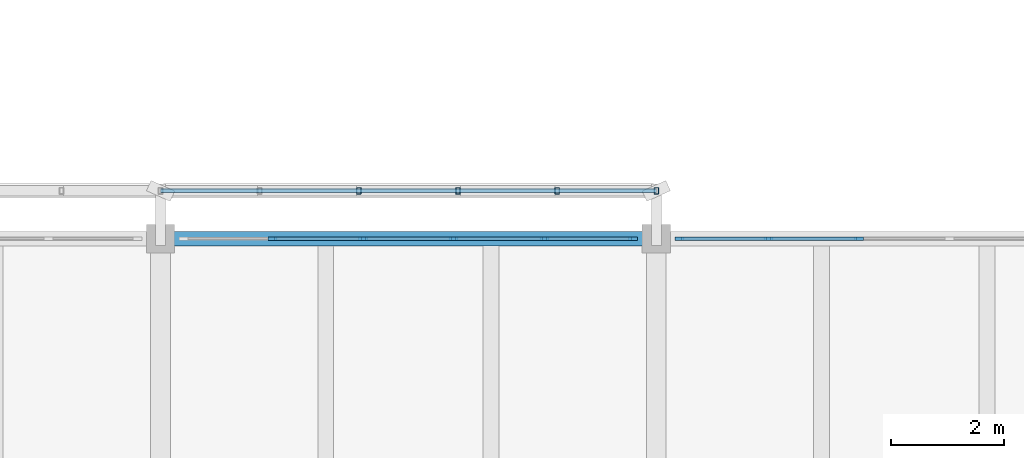
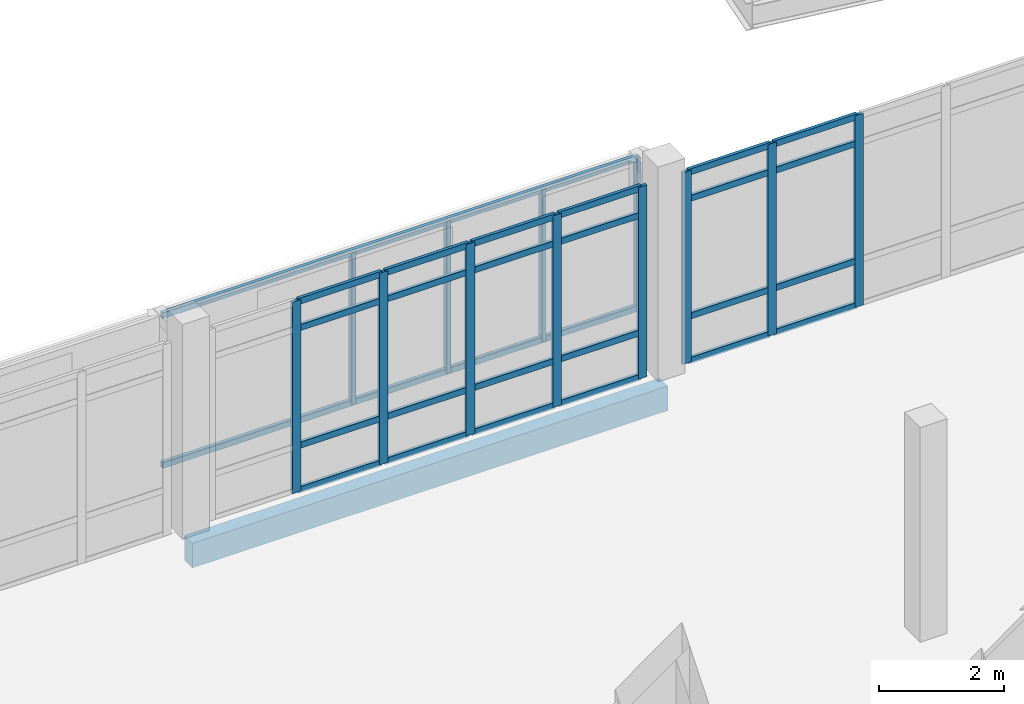
# One storey, part 35 of 137: 38 members, 1 beam, 2 elements without a shape of their own.
"""IFC4 building model written with IfcOpenShell, lengths in metres."""

from ifc_helpers import new_model, si_unit, direction, frame, origin, origin_2d, place, context, subcontext, project, spatial, rectangle, hollow_rectangle, extrude, material, material_profile, profile_set, type_object, element, aggregate, save


model = new_model("IFC4")

# Units and contexts
model_context = context("Model", 3, precision=1e-05, world=origin(), true_north=direction((0.0, 1.0)))
body_context = subcontext(model_context, "Body", "Model", "MODEL_VIEW")
ifc_project = project(units=[si_unit("LENGTHUNIT", "METRE"), si_unit("AREAUNIT", "SQUARE_METRE"), si_unit("VOLUMEUNIT", "CUBIC_METRE"), si_unit("PLANEANGLEUNIT", "RADIAN"), si_unit("MASSUNIT", "GRAM", prefix="KILO")], contexts=[model_context])

# Site, building, storey
site_placement = place(None, origin())
site = spatial("IfcSite", under=ifc_project, at=site_placement, CompositionType="ELEMENT")
building_placement = place(site_placement, origin())
building = spatial("IfcBuilding", under=site, at=building_placement, Name="Cinderway Yard Community Centre", CompositionType="ELEMENT")
storey_placement = place(building_placement, frame((0.0, 0.0, 4.800048828125)))
storey = spatial("IfcBuildingStorey", under=building, at=storey_placement, Name="L01", CompositionType="ELEMENT", Elevation=4.800048828125)

# Curtain wall, members
ifc_material_1 = material(Name="Aluminium 6063-T6", Category="aluminium")
curtain_wall_type = type_object("IfcCurtainWallType", Name="ENV-CW-TYPE-27", PredefinedType="USERDEFINED", material=ifc_material_1)
curtain_wall_1_placement = place(storey_placement, origin())
curtain_wall_1 = element("IfcCurtainWall", 1, at=curtain_wall_1_placement, inside=storey, type_object=curtain_wall_type, Name="Dining Courtyard Curtain Wall ENV-CW-L01-ST-0098", ObjectType="GLAZED CURTAIN WALL", PredefinedType="USERDEFINED")
ifc_material_profile_1 = material_profile(ifc_material_1, rectangle(XDim=0.06005859375, YDim=0.159912109375, at=origin_2d()), Name="Aluminium 6063-T6")
ifc_profile_set_1 = profile_set([ifc_material_profile_1], Name="Aluminium 6063-T6")
member_type_1 = type_object("IfcMemberType", Name="ENV-CW-MULL-150", PredefinedType="MULLION", material=ifc_profile_set_1)
member_1_placement = place(storey_placement, frame((103.587890625, 22.800048828125, 0.0), z_axis=(0.0, 0.0, 1.0), x_axis=(0.0, 1.0, 0.0)))
member_1 = element("IfcMember", 2, at=member_1_placement, type_object=member_type_1, Name="CW-27 mullion 2", PredefinedType="MULLION", context=body_context, shape_type="SweptSolid", body=[
    extrude(rectangle(XDim=0.06005859375, YDim=0.159912109375, at=origin_2d()), origin(), (0.0, 0.0, 1.0), 3.75),
])
member_2_placement = place(storey_placement, frame((105.196044921875, 22.800048828125, 0.0), z_axis=(0.0, 0.0, 1.0), x_axis=(0.0, 1.0, 0.0)))
member_2 = element("IfcMember", 3, at=member_2_placement, type_object=member_type_1, Name="CW-27 mullion 3", PredefinedType="MULLION", context=body_context, shape_type="SweptSolid", body=[
    extrude(rectangle(XDim=0.06005859375, YDim=0.159912109375, at=origin_2d()), origin(), (0.0, 0.0, 1.0), 3.75),
])
member_3_placement = place(storey_placement, frame((106.803955078125, 22.800048828125, 0.0), z_axis=(0.0, 0.0, 1.0), x_axis=(0.0, 1.0, 0.0)))
member_3 = element("IfcMember", 4, at=member_3_placement, type_object=member_type_1, Name="CW-27 mullion 4", PredefinedType="MULLION", context=body_context, shape_type="SweptSolid", body=[
    extrude(rectangle(XDim=0.06005859375, YDim=0.159912109375, at=origin_2d()), origin(), (0.0, 0.0, 1.0), 3.75),
])
member_4_placement = place(storey_placement, frame((108.412109375, 22.800048828125, 0.0), z_axis=(0.0, 0.0, 1.0), x_axis=(0.0, 1.0, 0.0)))
member_4 = element("IfcMember", 5, at=member_4_placement, type_object=member_type_1, Name="CW-27 mullion 5", PredefinedType="MULLION", context=body_context, shape_type="SweptSolid", body=[
    extrude(rectangle(XDim=0.06005859375, YDim=0.159912109375, at=origin_2d()), origin(), (0.0, 0.0, 1.0), 3.75),
])
member_5_placement = place(storey_placement, frame((109.989990234375, 22.800048828125, 0.0), z_axis=(0.0, 0.0, 1.0), x_axis=(0.0, 1.0, 0.0)))
member_5 = element("IfcMember", 6, at=member_5_placement, type_object=member_type_1, Name="CW-27 mullion 6", PredefinedType="MULLION", context=body_context, shape_type="SweptSolid", body=[
    extrude(rectangle(XDim=0.06005859375, YDim=0.159912109375, at=origin_2d()), origin(), (0.0, 0.0, 1.0), 3.75),
])

curtain_wall_2_placement = place(storey_placement, origin())
curtain_wall_2 = element("IfcCurtainWall", 7, at=curtain_wall_2_placement, inside=storey, type_object=curtain_wall_type, Name="Dining Courtyard Curtain Wall ENV-CW-L01-ST-0099", ObjectType="GLAZED CURTAIN WALL", PredefinedType="USERDEFINED")
member_6_placement = place(storey_placement, frame((110.81005859375, 22.800048828125, 0.0), z_axis=(0.0, 0.0, 1.0), x_axis=(0.0, 1.0, 0.0)))
member_6 = element("IfcMember", 8, at=member_6_placement, type_object=member_type_1, Name="CW-27 mullion 1", PredefinedType="MULLION", context=body_context, shape_type="SweptSolid", body=[
    extrude(rectangle(XDim=0.06005859375, YDim=0.159912109375, at=origin_2d()), origin(), (0.0, 0.0, 1.0), 3.75),
])
member_7_placement = place(storey_placement, frame((112.387939453125, 22.800048828125, 0.0), z_axis=(0.0, 0.0, 1.0), x_axis=(0.0, 1.0, 0.0)))
member_7 = element("IfcMember", 9, at=member_7_placement, type_object=member_type_1, Name="CW-27 mullion 2", PredefinedType="MULLION", context=body_context, shape_type="SweptSolid", body=[
    extrude(rectangle(XDim=0.06005859375, YDim=0.159912109375, at=origin_2d()), origin(), (0.0, 0.0, 1.0), 3.75),
])
member_8_placement = place(storey_placement, frame((113.99609375, 22.800048828125, 0.0), z_axis=(0.0, 0.0, 1.0), x_axis=(0.0, 1.0, 0.0)))
member_8 = element("IfcMember", 10, at=member_8_placement, type_object=member_type_1, Name="CW-27 mullion 3", PredefinedType="MULLION", context=body_context, shape_type="SweptSolid", body=[
    extrude(rectangle(XDim=0.06005859375, YDim=0.159912109375, at=origin_2d()), origin(), (0.0, 0.0, 1.0), 3.75),
])

# Member
ifc_material_profile_2 = material_profile(ifc_material_1, rectangle(XDim=0.06005859375, YDim=0.1201171875, at=origin_2d()), Name="Aluminium 6063-T6")
ifc_profile_set_2 = profile_set([ifc_material_profile_2], Name="Aluminium 6063-T6")
member_type_2 = type_object("IfcMemberType", Name="ENV-CW-TRAN-110", PredefinedType="USERDEFINED", material=ifc_profile_set_2)
member_9_placement = place(storey_placement, frame((103.617919921875, 22.800048828125, 0.030029296875), z_axis=(1.0, 0.0, 0.0), x_axis=(0.0, 1.0, 0.0)))
member_9 = element("IfcMember", 11, at=member_9_placement, type_object=member_type_2, Name="CW-27 transom 2.1", ObjectType="TRANSOM", PredefinedType="USERDEFINED", context=body_context, shape_type="SweptSolid", body=[
    extrude(rectangle(XDim=0.06005859375, YDim=0.1201171875, at=origin_2d()), origin(), (0.0, 0.0, 1.0), 1.548095703125),
])

member_10_placement = place(storey_placement, frame((103.617919921875, 22.800048828125, 0.89990234375), z_axis=(1.0, 0.0, 0.0), x_axis=(0.0, 1.0, 0.0)))
member_10 = element("IfcMember", 12, at=member_10_placement, type_object=member_type_2, Name="CW-27 transom 2.2", ObjectType="TRANSOM", PredefinedType="USERDEFINED", context=body_context, shape_type="SweptSolid", body=[
    extrude(rectangle(XDim=0.06005859375, YDim=0.1201171875, at=origin_2d()), origin(), (0.0, 0.0, 1.0), 1.548095703125),
])

member_11_placement = place(storey_placement, frame((103.617919921875, 22.800048828125, 3.199951171875), z_axis=(1.0, 0.0, 0.0), x_axis=(0.0, 1.0, 0.0)))
member_11 = element("IfcMember", 13, at=member_11_placement, type_object=member_type_2, Name="CW-27 transom 2.3", ObjectType="TRANSOM", PredefinedType="USERDEFINED", context=body_context, shape_type="SweptSolid", body=[
    extrude(rectangle(XDim=0.06005859375, YDim=0.1201171875, at=origin_2d()), origin(), (0.0, 0.0, 1.0), 1.548095703125),
])

member_12_placement = place(storey_placement, frame((103.617919921875, 22.800048828125, 3.719970703125), z_axis=(1.0, 0.0, 0.0), x_axis=(0.0, 1.0, 0.0)))
member_12 = element("IfcMember", 14, at=member_12_placement, type_object=member_type_2, Name="CW-27 transom 2.4", ObjectType="TRANSOM", PredefinedType="USERDEFINED", context=body_context, shape_type="SweptSolid", body=[
    extrude(rectangle(XDim=0.06005859375, YDim=0.1201171875, at=origin_2d()), origin(), (0.0, 0.0, 1.0), 1.548095703125),
])

member_13_placement = place(storey_placement, frame((105.22607421875, 22.800048828125, 0.030029296875), z_axis=(1.0, 0.0, 0.0), x_axis=(0.0, 1.0, 0.0)))
member_13 = element("IfcMember", 15, at=member_13_placement, type_object=member_type_2, Name="CW-27 transom 3.1", ObjectType="TRANSOM", PredefinedType="USERDEFINED", context=body_context, shape_type="SweptSolid", body=[
    extrude(rectangle(XDim=0.06005859375, YDim=0.1201171875, at=origin_2d()), origin(), (0.0, 0.0, 1.0), 1.5478515625),
])

member_14_placement = place(storey_placement, frame((105.22607421875, 22.800048828125, 0.89990234375), z_axis=(1.0, 0.0, 0.0), x_axis=(0.0, 1.0, 0.0)))
member_14 = element("IfcMember", 16, at=member_14_placement, type_object=member_type_2, Name="CW-27 transom 3.2", ObjectType="TRANSOM", PredefinedType="USERDEFINED", context=body_context, shape_type="SweptSolid", body=[
    extrude(rectangle(XDim=0.06005859375, YDim=0.1201171875, at=origin_2d()), origin(), (0.0, 0.0, 1.0), 1.5478515625),
])

member_15_placement = place(storey_placement, frame((105.22607421875, 22.800048828125, 3.199951171875), z_axis=(1.0, 0.0, 0.0), x_axis=(0.0, 1.0, 0.0)))
member_15 = element("IfcMember", 17, at=member_15_placement, type_object=member_type_2, Name="CW-27 transom 3.3", ObjectType="TRANSOM", PredefinedType="USERDEFINED", context=body_context, shape_type="SweptSolid", body=[
    extrude(rectangle(XDim=0.06005859375, YDim=0.1201171875, at=origin_2d()), origin(), (0.0, 0.0, 1.0), 1.5478515625),
])

member_16_placement = place(storey_placement, frame((105.22607421875, 22.800048828125, 3.719970703125), z_axis=(1.0, 0.0, 0.0), x_axis=(0.0, 1.0, 0.0)))
member_16 = element("IfcMember", 18, at=member_16_placement, type_object=member_type_2, Name="CW-27 transom 3.4", ObjectType="TRANSOM", PredefinedType="USERDEFINED", context=body_context, shape_type="SweptSolid", body=[
    extrude(rectangle(XDim=0.06005859375, YDim=0.1201171875, at=origin_2d()), origin(), (0.0, 0.0, 1.0), 1.5478515625),
])

member_17_placement = place(storey_placement, frame((106.833984375, 22.800048828125, 0.030029296875), z_axis=(1.0, 0.0, 0.0), x_axis=(0.0, 1.0, 0.0)))
member_17 = element("IfcMember", 19, at=member_17_placement, type_object=member_type_2, Name="CW-27 transom 4.1", ObjectType="TRANSOM", PredefinedType="USERDEFINED", context=body_context, shape_type="SweptSolid", body=[
    extrude(rectangle(XDim=0.06005859375, YDim=0.1201171875, at=origin_2d()), origin(), (0.0, 0.0, 1.0), 1.548095703125),
])

member_18_placement = place(storey_placement, frame((106.833984375, 22.800048828125, 0.89990234375), z_axis=(1.0, 0.0, 0.0), x_axis=(0.0, 1.0, 0.0)))
member_18 = element("IfcMember", 20, at=member_18_placement, type_object=member_type_2, Name="CW-27 transom 4.2", ObjectType="TRANSOM", PredefinedType="USERDEFINED", context=body_context, shape_type="SweptSolid", body=[
    extrude(rectangle(XDim=0.06005859375, YDim=0.1201171875, at=origin_2d()), origin(), (0.0, 0.0, 1.0), 1.548095703125),
])

member_19_placement = place(storey_placement, frame((106.833984375, 22.800048828125, 3.199951171875), z_axis=(1.0, 0.0, 0.0), x_axis=(0.0, 1.0, 0.0)))
member_19 = element("IfcMember", 21, at=member_19_placement, type_object=member_type_2, Name="CW-27 transom 4.3", ObjectType="TRANSOM", PredefinedType="USERDEFINED", context=body_context, shape_type="SweptSolid", body=[
    extrude(rectangle(XDim=0.06005859375, YDim=0.1201171875, at=origin_2d()), origin(), (0.0, 0.0, 1.0), 1.548095703125),
])

member_20_placement = place(storey_placement, frame((106.833984375, 22.800048828125, 3.719970703125), z_axis=(1.0, 0.0, 0.0), x_axis=(0.0, 1.0, 0.0)))
member_20 = element("IfcMember", 22, at=member_20_placement, type_object=member_type_2, Name="CW-27 transom 4.4", ObjectType="TRANSOM", PredefinedType="USERDEFINED", context=body_context, shape_type="SweptSolid", body=[
    extrude(rectangle(XDim=0.06005859375, YDim=0.1201171875, at=origin_2d()), origin(), (0.0, 0.0, 1.0), 1.548095703125),
])

member_21_placement = place(storey_placement, frame((108.44189453125, 22.800048828125, 0.030029296875), z_axis=(1.0, 0.0, 0.0), x_axis=(0.0, 1.0, 0.0)))
member_21 = element("IfcMember", 23, at=member_21_placement, type_object=member_type_2, Name="CW-27 transom 5.1", ObjectType="TRANSOM", PredefinedType="USERDEFINED", context=body_context, shape_type="SweptSolid", body=[
    extrude(rectangle(XDim=0.06005859375, YDim=0.1201171875, at=origin_2d()), origin(), (0.0, 0.0, 1.0), 1.51806640625),
])

member_22_placement = place(storey_placement, frame((108.44189453125, 22.800048828125, 0.89990234375), z_axis=(1.0, 0.0, 0.0), x_axis=(0.0, 1.0, 0.0)))
member_22 = element("IfcMember", 24, at=member_22_placement, type_object=member_type_2, Name="CW-27 transom 5.2", ObjectType="TRANSOM", PredefinedType="USERDEFINED", context=body_context, shape_type="SweptSolid", body=[
    extrude(rectangle(XDim=0.06005859375, YDim=0.1201171875, at=origin_2d()), origin(), (0.0, 0.0, 1.0), 1.51806640625),
])

member_23_placement = place(storey_placement, frame((108.44189453125, 22.800048828125, 3.199951171875), z_axis=(1.0, 0.0, 0.0), x_axis=(0.0, 1.0, 0.0)))
member_23 = element("IfcMember", 25, at=member_23_placement, type_object=member_type_2, Name="CW-27 transom 5.3", ObjectType="TRANSOM", PredefinedType="USERDEFINED", context=body_context, shape_type="SweptSolid", body=[
    extrude(rectangle(XDim=0.06005859375, YDim=0.1201171875, at=origin_2d()), origin(), (0.0, 0.0, 1.0), 1.51806640625),
])

member_24_placement = place(storey_placement, frame((108.44189453125, 22.800048828125, 3.719970703125), z_axis=(1.0, 0.0, 0.0), x_axis=(0.0, 1.0, 0.0)))
member_24 = element("IfcMember", 26, at=member_24_placement, type_object=member_type_2, Name="CW-27 transom 5.4", ObjectType="TRANSOM", PredefinedType="USERDEFINED", context=body_context, shape_type="SweptSolid", body=[
    extrude(rectangle(XDim=0.06005859375, YDim=0.1201171875, at=origin_2d()), origin(), (0.0, 0.0, 1.0), 1.51806640625),
])

aggregate(curtain_wall_1, [member_1, member_2, member_3, member_4, member_5, member_9, member_10, member_11, member_12, member_13, member_14, member_15, member_16, member_17, member_18, member_19, member_20, member_21, member_22, member_23, member_24])

member_25_placement = place(storey_placement, frame((110.840087890625, 22.800048828125, 0.030029296875), z_axis=(1.0, 0.0, 0.0), x_axis=(0.0, 1.0, 0.0)))
member_25 = element("IfcMember", 27, at=member_25_placement, type_object=member_type_2, Name="CW-27 transom 1.1", ObjectType="TRANSOM", PredefinedType="USERDEFINED", context=body_context, shape_type="SweptSolid", body=[
    extrude(rectangle(XDim=0.06005859375, YDim=0.1201171875, at=origin_2d()), origin(), (0.0, 0.0, 1.0), 1.517822265625),
])

member_26_placement = place(storey_placement, frame((110.840087890625, 22.800048828125, 0.89990234375), z_axis=(1.0, 0.0, 0.0), x_axis=(0.0, 1.0, 0.0)))
member_26 = element("IfcMember", 28, at=member_26_placement, type_object=member_type_2, Name="CW-27 transom 1.2", ObjectType="TRANSOM", PredefinedType="USERDEFINED", context=body_context, shape_type="SweptSolid", body=[
    extrude(rectangle(XDim=0.06005859375, YDim=0.1201171875, at=origin_2d()), origin(), (0.0, 0.0, 1.0), 1.517822265625),
])

member_27_placement = place(storey_placement, frame((110.840087890625, 22.800048828125, 3.199951171875), z_axis=(1.0, 0.0, 0.0), x_axis=(0.0, 1.0, 0.0)))
member_27 = element("IfcMember", 29, at=member_27_placement, type_object=member_type_2, Name="CW-27 transom 1.3", ObjectType="TRANSOM", PredefinedType="USERDEFINED", context=body_context, shape_type="SweptSolid", body=[
    extrude(rectangle(XDim=0.06005859375, YDim=0.1201171875, at=origin_2d()), origin(), (0.0, 0.0, 1.0), 1.517822265625),
])

member_28_placement = place(storey_placement, frame((110.840087890625, 22.800048828125, 3.719970703125), z_axis=(1.0, 0.0, 0.0), x_axis=(0.0, 1.0, 0.0)))
member_28 = element("IfcMember", 30, at=member_28_placement, type_object=member_type_2, Name="CW-27 transom 1.4", ObjectType="TRANSOM", PredefinedType="USERDEFINED", context=body_context, shape_type="SweptSolid", body=[
    extrude(rectangle(XDim=0.06005859375, YDim=0.1201171875, at=origin_2d()), origin(), (0.0, 0.0, 1.0), 1.517822265625),
])

member_29_placement = place(storey_placement, frame((112.41796875, 22.800048828125, 0.030029296875), z_axis=(1.0, 0.0, 0.0), x_axis=(0.0, 1.0, 0.0)))
member_29 = element("IfcMember", 31, at=member_29_placement, type_object=member_type_2, Name="CW-27 transom 2.1", ObjectType="TRANSOM", PredefinedType="USERDEFINED", context=body_context, shape_type="SweptSolid", body=[
    extrude(rectangle(XDim=0.06005859375, YDim=0.1201171875, at=origin_2d()), origin(), (0.0, 0.0, 1.0), 1.548095703125),
])

member_30_placement = place(storey_placement, frame((112.41796875, 22.800048828125, 0.89990234375), z_axis=(1.0, 0.0, 0.0), x_axis=(0.0, 1.0, 0.0)))
member_30 = element("IfcMember", 32, at=member_30_placement, type_object=member_type_2, Name="CW-27 transom 2.2", ObjectType="TRANSOM", PredefinedType="USERDEFINED", context=body_context, shape_type="SweptSolid", body=[
    extrude(rectangle(XDim=0.06005859375, YDim=0.1201171875, at=origin_2d()), origin(), (0.0, 0.0, 1.0), 1.548095703125),
])

member_31_placement = place(storey_placement, frame((112.41796875, 22.800048828125, 3.199951171875), z_axis=(1.0, 0.0, 0.0), x_axis=(0.0, 1.0, 0.0)))
member_31 = element("IfcMember", 33, at=member_31_placement, type_object=member_type_2, Name="CW-27 transom 2.3", ObjectType="TRANSOM", PredefinedType="USERDEFINED", context=body_context, shape_type="SweptSolid", body=[
    extrude(rectangle(XDim=0.06005859375, YDim=0.1201171875, at=origin_2d()), origin(), (0.0, 0.0, 1.0), 1.548095703125),
])

member_32_placement = place(storey_placement, frame((112.41796875, 22.800048828125, 3.719970703125), z_axis=(1.0, 0.0, 0.0), x_axis=(0.0, 1.0, 0.0)))
member_32 = element("IfcMember", 34, at=member_32_placement, type_object=member_type_2, Name="CW-27 transom 2.4", ObjectType="TRANSOM", PredefinedType="USERDEFINED", context=body_context, shape_type="SweptSolid", body=[
    extrude(rectangle(XDim=0.06005859375, YDim=0.1201171875, at=origin_2d()), origin(), (0.0, 0.0, 1.0), 1.548095703125),
])

aggregate(curtain_wall_2, [member_6, member_7, member_8, member_25, member_26, member_27, member_28, member_29, member_30, member_31, member_32])

# Members
ifc_material_2 = material(Name="Steel S355", Category="steel")
ifc_material_profile_3 = material_profile(ifc_material_2, hollow_rectangle(XDim=0.080078125, YDim=0.1201171875, WallThickness=0.00634765625, InnerFilletRadius=0.00634765625, OuterFilletRadius=0.0126953125, at=origin_2d()), Name="Steel S355")
ifc_profile_set_3 = profile_set([ifc_material_profile_3], Name="Steel S355")
member_type_3 = type_object("IfcMemberType", Name="ENV-MEM-SCREEN-RAIL-120", PredefinedType="STRINGER", material=ifc_profile_set_3)
for number, where, z_axis, x_axis, name in (
    (35, (101.60009765625, 23.64990234375, 0.7099609375), (1.0, 0.0, 0.0), (0.0, 1.0, 0.0), "Screen support rail 0634-BOT"),
    (36, (101.60009765625, 23.64990234375, 3.639892578125), (1.0, 0.0, 0.0), (0.0, 1.0, 0.0), "Screen support rail 0635-TOP"),
):
    element("IfcMember", number, at=place(storey_placement, frame(where, z_axis=z_axis, x_axis=x_axis)), inside=storey, type_object=member_type_3, Name=name, PredefinedType="STRINGER", context=body_context, shape_type="SweptSolid", body=[
        extrude(hollow_rectangle(XDim=0.080078125, YDim=0.1201171875, WallThickness=0.00634765625, InnerFilletRadius=0.00634765625, OuterFilletRadius=0.0126953125, at=origin_2d()), origin(), (0.0, 0.0, 1.0), 8.7998046875),
    ])
for number, where, z_axis, x_axis, name in (
    (37, (105.1201171875, 23.64990234375, 0.68994140625), (0.0, 0.0, 1.0), (1.0, 0.0, 0.0), "Screen vertical mullion 0637"),
    (38, (106.8798828125, 23.64990234375, 0.68994140625), (0.0, 0.0, 1.0), (1.0, 0.0, 0.0), "Screen vertical mullion 0638"),
    (39, (108.639892578125, 23.64990234375, 0.68994140625), (0.0, 0.0, 1.0), (1.0, 0.0, 0.0), "Screen vertical mullion 0639"),
    (40, (110.39990234375, 23.64990234375, 0.68994140625), (0.0, 0.0, 1.0), (1.0, 0.0, 0.0), "Screen vertical mullion 0640"),
):
    element("IfcMember", number, at=place(storey_placement, frame(where, z_axis=z_axis, x_axis=x_axis)), inside=storey, type_object=member_type_3, Name=name, PredefinedType="STRINGER", context=body_context, shape_type="SweptSolid", body=[
        extrude(hollow_rectangle(XDim=0.080078125, YDim=0.1201171875, WallThickness=0.00634765625, InnerFilletRadius=0.00634765625, OuterFilletRadius=0.0126953125, at=origin_2d()), origin(), (0.0, 0.0, 1.0), 2.969970703125),
    ])

# Beam
ifc_material_3 = material(Name="Concrete C40/50", Category="concrete")
ifc_material_profile_4 = material_profile(ifc_material_3, rectangle(XDim=0.260009765625, YDim=0.47998046875, at=origin_2d()), Name="Concrete C40/50")
ifc_profile_set_4 = profile_set([ifc_material_profile_4], Name="Concrete C40/50")
beam_type = type_object("IfcBeamType", Name="STR-BM-RC260X480", PredefinedType="SPANDREL", material=ifc_profile_set_4)
beam_placement = place(storey_placement, frame((101.60009765625, 22.800048828125, -0.47998046875), z_axis=(1.0, 0.0, 0.0), x_axis=(0.0, 1.0, 0.0)))
element("IfcBeam", 41, at=beam_placement, inside=storey, type_object=beam_type, Name="Primary girder STR-BM-L01-SP01-0130", PredefinedType="SPANDREL", context=body_context, shape_type="SweptSolid", body=[
    extrude(rectangle(XDim=0.260009765625, YDim=0.47998046875, at=origin_2d()), origin(), (0.0, 0.0, 1.0), 8.7998046875),
])

save(model, "model.ifc")
